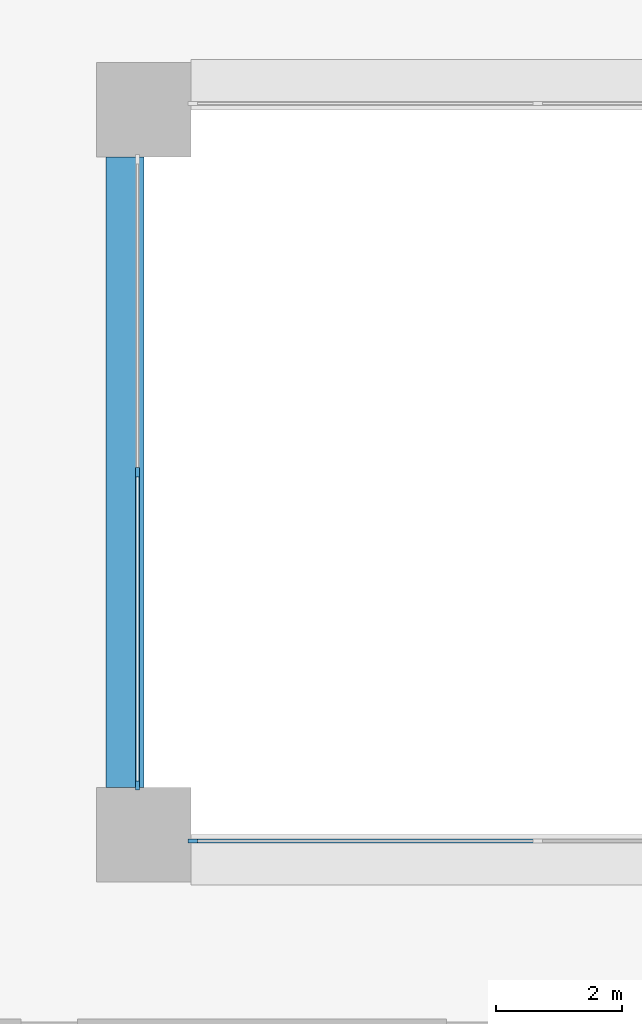
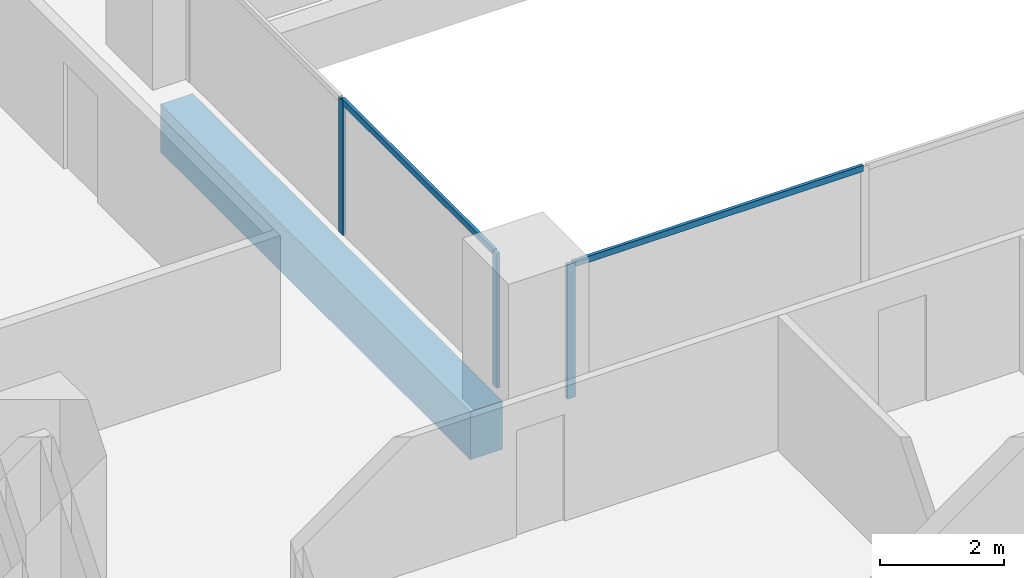
# One storey, part 2 of 20: 5 members, 1 beam, 2 elements without a shape of their own.
"""IFC4 building model written with IfcOpenShell, lengths in metres."""

from ifc_helpers import new_model, si_unit, direction, frame, origin, origin_2d, place, context, subcontext, project, spatial, rectangle, extrude, material, layer, layer_set, material_profile, profile_set, type_object, element, aggregate, save


model = new_model("IFC4")

# Units and contexts
model_context = context("Model", 3, precision=1e-05, world=origin(), true_north=direction((0.0, 1.0)))
body_context = subcontext(model_context, "Body", "Model", "MODEL_VIEW")
ifc_project = project(units=[si_unit("LENGTHUNIT", "METRE"), si_unit("AREAUNIT", "SQUARE_METRE"), si_unit("VOLUMEUNIT", "CUBIC_METRE"), si_unit("PLANEANGLEUNIT", "RADIAN"), si_unit("MASSUNIT", "GRAM", prefix="KILO")], contexts=[model_context])

# Site, building, storey
site_placement = place(None, origin())
site = spatial("IfcSite", under=ifc_project, at=site_placement, CompositionType="ELEMENT")
building_placement = place(site_placement, origin())
building = spatial("IfcBuilding", under=site, at=building_placement, Name="Brigalow Station Residences", CompositionType="ELEMENT")
storey_placement = place(building_placement, frame((0.0, 0.0, 69.89990234375)))
storey = spatial("IfcBuildingStorey", under=building, at=storey_placement, Name="L20", CompositionType="ELEMENT", Elevation=69.89990234375)

# Beam
ifc_material_1 = material(Name="Concrete C65", Category="concrete")
ifc_material_profile_1 = material_profile(ifc_material_1, rectangle(XDim=0.60009765625, YDim=0.949951171875, at=origin_2d()), Name="RC600x950")
ifc_profile_set_1 = profile_set([ifc_material_profile_1], Name="Concrete C65")
beam_type = type_object("IfcBeamType", Name="ATRIUM EDGE GIRDER 600x950 C65", PredefinedType="BEAM", material=ifc_profile_set_1)
beam_placement = place(storey_placement, frame((26.699951171875, 24.75, -0.794921875), z_axis=(0.0, 1.0, 0.0), x_axis=(-1.0, 0.0, 0.0)))
element("IfcBeam", 1, at=beam_placement, inside=storey, type_object=beam_type, Name="ATRIUM EDGE GIRDER 3 L20", PredefinedType="BEAM", context=body_context, shape_type="SweptSolid", body=[
    extrude(rectangle(XDim=0.60009765625, YDim=0.949951171875, at=origin_2d()), origin(), (0.0, 0.0, 1.0), 10.0),
])

# Curtain wall, member
ifc_material_2 = material(Name="Aluminium", Category="aluminium")
ifc_layer = layer(ifc_material_2, 0.14990234375)
ifc_layer_set = layer_set([ifc_layer], Name="ATRIUM FIRE-RATED GLAZING CURTAIN WALL")
curtain_wall_type = type_object("IfcCurtainWallType", Name="ATRIUM FIRE-RATED GLAZING CURTAIN WALL", PredefinedType="NOTDEFINED", material=ifc_layer_set)
curtain_wall_1_placement = place(storey_placement, origin())
curtain_wall_1 = element("IfcCurtainWall", 2, at=curtain_wall_1_placement, inside=storey, type_object=curtain_wall_type, Name="L20/cw/atrium-S", PredefinedType="NOTDEFINED")
ifc_material_3 = material(Name="Aluminium", Category="aluminium")
ifc_material_profile_2 = material_profile(ifc_material_3, rectangle(XDim=0.06005859375, YDim=0.14990234375, at=origin_2d()), Name="ATRIUM FIRE-RATED GLAZING MULLION 60x150")
ifc_profile_set_2 = profile_set([ifc_material_profile_2], Name="Aluminium")
member_type_1 = type_object("IfcMemberType", Name="ATRIUM FIRE-RATED GLAZING MULLION 60x150", PredefinedType="MULLION", material=ifc_profile_set_2)
member_1_placement = place(storey_placement, frame((27.780029296875, 23.89990234375, 0.0), z_axis=(0.0, 0.0, 1.0), x_axis=(0.0, 1.0, 0.0)))
member_1 = element("IfcMember", 3, at=member_1_placement, type_object=member_type_1, Name="L20/cw/atrium-S/M00", PredefinedType="MULLION", context=body_context, shape_type="SweptSolid", body=[
    extrude(rectangle(XDim=0.06005859375, YDim=0.14990234375, at=origin_2d()), origin(), (0.0, 0.0, 1.0), 2.650146484375),
])

# Curtain wall, members
curtain_wall_2_placement = place(storey_placement, origin())
curtain_wall_2 = element("IfcCurtainWall", 4, at=curtain_wall_2_placement, inside=storey, type_object=curtain_wall_type, Name="L20/cw/atrium-W", PredefinedType="NOTDEFINED")
member_2_placement = place(storey_placement, frame((26.89990234375, 29.75, 0.0), z_axis=(0.0, 0.0, 1.0), x_axis=(1.0, 0.0, 0.0)))
member_2 = element("IfcMember", 5, at=member_2_placement, type_object=member_type_1, Name="L20/cw/atrium-W/M01", PredefinedType="MULLION", context=body_context, shape_type="SweptSolid", body=[
    extrude(rectangle(XDim=0.06005859375, YDim=0.14990234375, at=origin_2d()), origin(), (0.0, 0.0, 1.0), 2.650146484375),
])
member_3_placement = place(storey_placement, frame((26.89990234375, 24.780029296875, 0.0), z_axis=(0.0, 0.0, 1.0), x_axis=(1.0, 0.0, 0.0)))
member_3 = element("IfcMember", 6, at=member_3_placement, type_object=member_type_1, Name="L20/cw/atrium-W/M02", PredefinedType="MULLION", context=body_context, shape_type="SweptSolid", body=[
    extrude(rectangle(XDim=0.06005859375, YDim=0.14990234375, at=origin_2d()), origin(), (0.0, 0.0, 1.0), 2.650146484375),
])

# Member
ifc_material_4 = material(Name="Aluminium", Category="aluminium")
ifc_material_profile_3 = material_profile(ifc_material_4, rectangle(XDim=0.06005859375, YDim=0.1201171875, at=origin_2d()), Name="ATRIUM FIRE-RATED GLAZING TRANSOM 60x120")
ifc_profile_set_3 = profile_set([ifc_material_profile_3], Name="Aluminium")
member_type_2 = type_object("IfcMemberType", Name="ATRIUM FIRE-RATED GLAZING TRANSOM 60x120", PredefinedType="USERDEFINED", material=ifc_profile_set_3)
member_4_placement = place(storey_placement, frame((27.81005859375, 23.89990234375, 2.6201171875), z_axis=(1.0, 0.0, 0.0), x_axis=(0.0, 1.0, 0.0)))
member_4 = element("IfcMember", 7, at=member_4_placement, type_object=member_type_2, Name="L20/cw/atrium-S/T00-00", ObjectType="TRANSOM", PredefinedType="USERDEFINED", context=body_context, shape_type="SweptSolid", body=[
    extrude(rectangle(XDim=0.06005859375, YDim=0.1201171875, at=origin_2d()), origin(), (0.0, 0.0, 1.0), 5.409912109375),
])

aggregate(curtain_wall_1, [member_1, member_4])

member_5_placement = place(storey_placement, frame((26.89990234375, 29.719970703125, 2.6201171875), z_axis=(0.0, -1.0, 0.0), x_axis=(1.0, 0.0, 0.0)))
member_5 = element("IfcMember", 8, at=member_5_placement, type_object=member_type_2, Name="L20/cw/atrium-W/T01-00", ObjectType="TRANSOM", PredefinedType="USERDEFINED", context=body_context, shape_type="SweptSolid", body=[
    extrude(rectangle(XDim=0.06005859375, YDim=0.1201171875, at=origin_2d()), origin(), (0.0, 0.0, 1.0), 4.909912109375),
])

aggregate(curtain_wall_2, [member_2, member_3, member_5])

save(model, "model.ifc")
